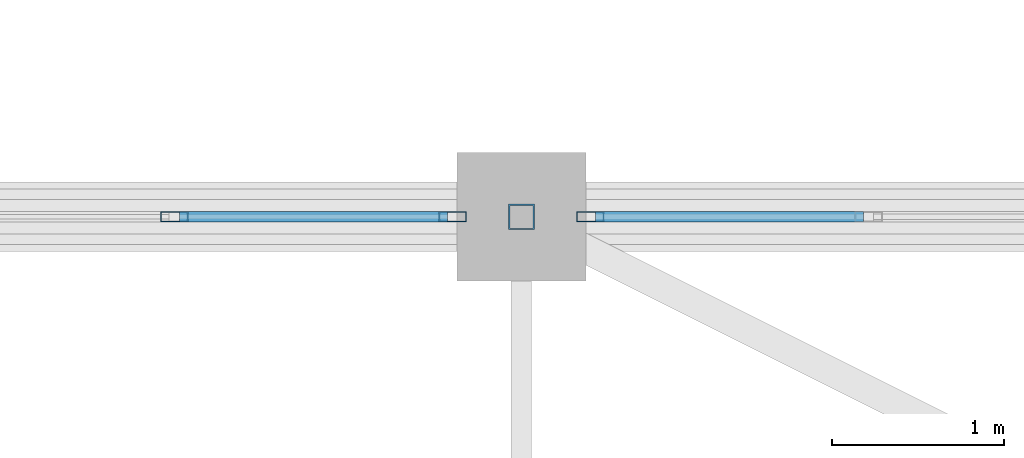
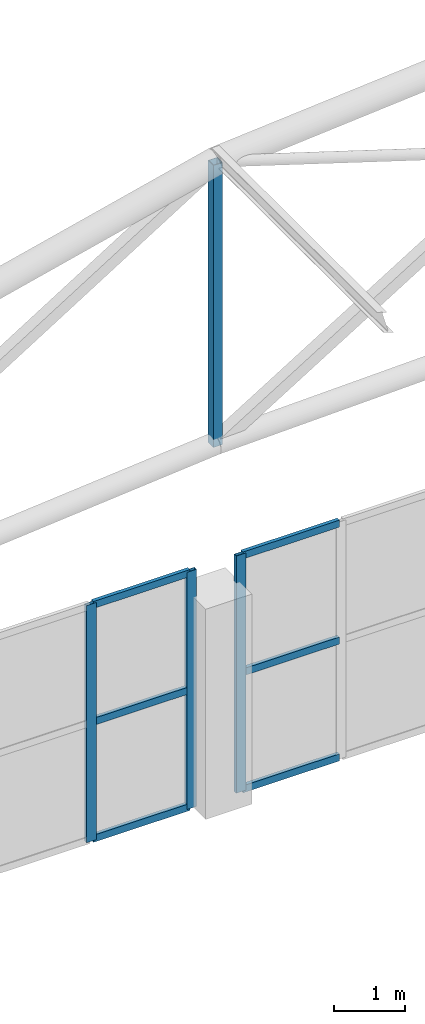
# One storey, part 106 of 167: 10 members, 2 elements without a shape of their own.
"""IFC4 building model written with IfcOpenShell, lengths in metres."""

from ifc_helpers import new_model, si_unit, direction, frame, origin, origin_2d, place, context, subcontext, project, spatial, hollow_rectangle, extrude, material, layer, layer_set, material_profile, profile_set, type_object, element, aggregate, save


model = new_model("IFC4")

# Units and contexts
model_context = context("Model", 3, precision=1e-05, world=origin(), true_north=direction((0.0, 1.0)))
body_context = subcontext(model_context, "Body", "Model", "MODEL_VIEW")
ifc_project = project(units=[si_unit("LENGTHUNIT", "METRE"), si_unit("AREAUNIT", "SQUARE_METRE"), si_unit("VOLUMEUNIT", "CUBIC_METRE"), si_unit("PLANEANGLEUNIT", "RADIAN"), si_unit("MASSUNIT", "GRAM", prefix="KILO")], contexts=[model_context])

# Site, building, storey
site_placement = place(None, origin())
site = spatial("IfcSite", under=ifc_project, at=site_placement, CompositionType="ELEMENT")
building_placement = place(site_placement, origin())
building = spatial("IfcBuilding", under=site, at=building_placement, Name="Dornveld Trade and Exhibition Forum", CompositionType="ELEMENT")
storey_placement = place(building_placement, frame((0.0, 0.0, 16.800048828125)))
storey = spatial("IfcBuildingStorey", under=building, at=storey_placement, Name="L03", CompositionType="ELEMENT", Elevation=16.800048828125)

# Curtain wall, members
ifc_material_1 = material(Name="Dark-bronze anodised aluminium and low-E glass", Category="aluminium")
ifc_layer_1 = layer(ifc_material_1, 0.18994140625)
ifc_layer_set_1 = layer_set([ifc_layer_1], Name="Dark-bronze anodised aluminium and low-E glass")
curtain_wall_type_1 = type_object("IfcCurtainWallType", Name="CW-SYS-16", PredefinedType="USERDEFINED", material=ifc_layer_set_1)
curtain_wall_1_placement = place(storey_placement, origin())
curtain_wall_1 = element("IfcCurtainWall", 1, at=curtain_wall_1_placement, inside=storey, type_object=curtain_wall_type_1, Name="L03 unitised curtain wall 34", ObjectType="UNITISED_CURTAIN_WALL", PredefinedType="USERDEFINED")
ifc_material_2 = material(Name="Dark-bronze anodised aluminium", Category="aluminium")
ifc_material_profile_1 = material_profile(ifc_material_2, hollow_rectangle(XDim=0.06005859375, YDim=0.159912109375, WallThickness=0.00390625, at=origin_2d()), Name="RHS 160x60x4")
ifc_profile_set_1 = profile_set([ifc_material_profile_1], Name="Dark-bronze anodised aluminium")
member_type_1 = type_object("IfcMemberType", Name="CW-MUL-160", PredefinedType="MULLION", material=ifc_profile_set_1)
member_1_placement = place(storey_placement, frame((44.59912109375, 135.0, -0.004150390625), z_axis=(0.0, 0.0, 1.0), x_axis=(0.0, -1.0, 0.0)))
member_1 = element("IfcMember", 2, at=member_1_placement, type_object=member_type_1, Name="CW-16 mullion 1", PredefinedType="MULLION", context=body_context, shape_type="SweptSolid", body=[
    extrude(hollow_rectangle(XDim=0.06005859375, YDim=0.159912109375, WallThickness=0.00390625, at=origin_2d()), origin(), (0.0, 0.0, 1.0), 4.064208984375),
])
member_2_placement = place(storey_placement, frame((42.977294921875, 135.0, -0.004150390625), z_axis=(0.0, 0.0, 1.0), x_axis=(0.0, -1.0, 0.0)))
member_2 = element("IfcMember", 3, at=member_2_placement, type_object=member_type_1, Name="CW-16 mullion 2", PredefinedType="MULLION", context=body_context, shape_type="SweptSolid", body=[
    extrude(hollow_rectangle(XDim=0.06005859375, YDim=0.159912109375, WallThickness=0.00390625, at=origin_2d()), origin(), (0.0, 0.0, 1.0), 4.064208984375),
])

# Curtain wall, member
ifc_material_3 = material(Name="Dark-bronze anodised aluminium and low-E glass", Category="aluminium")
ifc_layer_2 = layer(ifc_material_3, 0.196044921875)
ifc_layer_set_2 = layer_set([ifc_layer_2], Name="Dark-bronze anodised aluminium and low-E glass")
curtain_wall_type_2 = type_object("IfcCurtainWallType", Name="CW-SYS-18", PredefinedType="USERDEFINED", material=ifc_layer_set_2)
curtain_wall_2_placement = place(storey_placement, origin())
curtain_wall_2 = element("IfcCurtainWall", 4, at=curtain_wall_2_placement, inside=storey, type_object=curtain_wall_type_2, Name="L03 unitised curtain wall 36", ObjectType="UNITISED_CURTAIN_WALL", PredefinedType="USERDEFINED")
member_3_placement = place(storey_placement, frame((45.40087890625, 135.0, -0.004150390625), z_axis=(0.0, 0.0, 1.0), x_axis=(0.0, -1.0, 0.0)))
member_3 = element("IfcMember", 5, at=member_3_placement, type_object=member_type_1, Name="CW-18 mullion 6", PredefinedType="MULLION", context=body_context, shape_type="SweptSolid", body=[
    extrude(hollow_rectangle(XDim=0.06005859375, YDim=0.159912109375, WallThickness=0.00390625, at=origin_2d()), origin(), (0.0, 0.0, 1.0), 4.064208984375),
])

# Member
ifc_material_4 = material(Name="Dark-bronze anodised aluminium", Category="aluminium")
ifc_material_profile_2 = material_profile(ifc_material_4, hollow_rectangle(XDim=0.06005859375, YDim=0.1201171875, WallThickness=0.00390625, at=origin_2d()), Name="RHS 120x60x4")
ifc_profile_set_2 = profile_set([ifc_material_profile_2], Name="Dark-bronze anodised aluminium")
member_type_2 = type_object("IfcMemberType", Name="CW-TRN-120", PredefinedType="USERDEFINED", material=ifc_profile_set_2)
member_4_placement = place(storey_placement, frame((44.569091796875, 135.0, 0.02587890625), z_axis=(-1.0, 0.0, 0.0), x_axis=(0.0, -1.0, 0.0)))
member_4 = element("IfcMember", 6, at=member_4_placement, type_object=member_type_2, Name="CW-16 transom 1.1", ObjectType="TRANSOM", PredefinedType="USERDEFINED", context=body_context, shape_type="SweptSolid", body=[
    extrude(hollow_rectangle(XDim=0.06005859375, YDim=0.1201171875, WallThickness=0.00390625, at=origin_2d()), origin(), (0.0, 0.0, 1.0), 1.561767578125),
])

member_5_placement = place(storey_placement, frame((44.569091796875, 135.0, 2.02783203125), z_axis=(-1.0, 0.0, 0.0), x_axis=(0.0, -1.0, 0.0)))
member_5 = element("IfcMember", 7, at=member_5_placement, type_object=member_type_2, Name="CW-16 transom 1.2", ObjectType="TRANSOM", PredefinedType="USERDEFINED", context=body_context, shape_type="SweptSolid", body=[
    extrude(hollow_rectangle(XDim=0.06005859375, YDim=0.1201171875, WallThickness=0.00390625, at=origin_2d()), origin(), (0.0, 0.0, 1.0), 1.561767578125),
])

member_6_placement = place(storey_placement, frame((44.569091796875, 135.0, 4.030029296875), z_axis=(-1.0, 0.0, 0.0), x_axis=(0.0, -1.0, 0.0)))
member_6 = element("IfcMember", 8, at=member_6_placement, type_object=member_type_2, Name="CW-16 transom 1.3", ObjectType="TRANSOM", PredefinedType="USERDEFINED", context=body_context, shape_type="SweptSolid", body=[
    extrude(hollow_rectangle(XDim=0.06005859375, YDim=0.1201171875, WallThickness=0.00390625, at=origin_2d()), origin(), (0.0, 0.0, 1.0), 1.561767578125),
])

aggregate(curtain_wall_1, [member_1, member_2, member_4, member_5, member_6])

member_7_placement = place(storey_placement, frame((46.99267578125, 135.0, 0.02587890625), z_axis=(-1.0, 0.0, 0.0), x_axis=(0.0, -1.0, 0.0)))
member_7 = element("IfcMember", 9, at=member_7_placement, type_object=member_type_2, Name="CW-18 transom 5.1", ObjectType="TRANSOM", PredefinedType="USERDEFINED", context=body_context, shape_type="SweptSolid", body=[
    extrude(hollow_rectangle(XDim=0.06005859375, YDim=0.1201171875, WallThickness=0.00390625, at=origin_2d()), origin(), (0.0, 0.0, 1.0), 1.561767578125),
])

member_8_placement = place(storey_placement, frame((46.99267578125, 135.0, 2.02783203125), z_axis=(-1.0, 0.0, 0.0), x_axis=(0.0, -1.0, 0.0)))
member_8 = element("IfcMember", 10, at=member_8_placement, type_object=member_type_2, Name="CW-18 transom 5.2", ObjectType="TRANSOM", PredefinedType="USERDEFINED", context=body_context, shape_type="SweptSolid", body=[
    extrude(hollow_rectangle(XDim=0.06005859375, YDim=0.1201171875, WallThickness=0.00390625, at=origin_2d()), origin(), (0.0, 0.0, 1.0), 1.561767578125),
])

member_9_placement = place(storey_placement, frame((46.99267578125, 135.0, 4.030029296875), z_axis=(-1.0, 0.0, 0.0), x_axis=(0.0, -1.0, 0.0)))
member_9 = element("IfcMember", 11, at=member_9_placement, type_object=member_type_2, Name="CW-18 transom 5.3", ObjectType="TRANSOM", PredefinedType="USERDEFINED", context=body_context, shape_type="SweptSolid", body=[
    extrude(hollow_rectangle(XDim=0.06005859375, YDim=0.1201171875, WallThickness=0.00390625, at=origin_2d()), origin(), (0.0, 0.0, 1.0), 1.561767578125),
])

aggregate(curtain_wall_2, [member_3, member_7, member_8, member_9])

ifc_material_5 = material(Name="Steel S355J2", Category="steel")
ifc_material_profile_3 = material_profile(ifc_material_5, hollow_rectangle(XDim=0.14990234375, YDim=0.14990234375, WallThickness=0.008056640625, at=origin_2d()), Name="SHS 150x150x8")
ifc_profile_set_3 = profile_set([ifc_material_profile_3], Name="Steel S355J2")
member_type_3 = type_object("IfcMemberType", Name="MEM-ARCH-STR", PredefinedType="STRUT", material=ifc_profile_set_3)
member_10_placement = place(storey_placement, frame((45.0, 135.0, 6.083251953125), z_axis=(0.0, 0.0, 1.0), x_axis=(1.0, 0.0, 0.0)))
element("IfcMember", 12, at=member_10_placement, inside=storey, type_object=member_type_3, Name="H3 truss 12 strut 3", PredefinedType="STRUT", context=body_context, shape_type="SweptSolid", body=[
    extrude(hollow_rectangle(XDim=0.14990234375, YDim=0.14990234375, WallThickness=0.008056640625, at=origin_2d()), origin(), (0.0, 0.0, 1.0), 4.83349609375),
])

save(model, "model.ifc")
